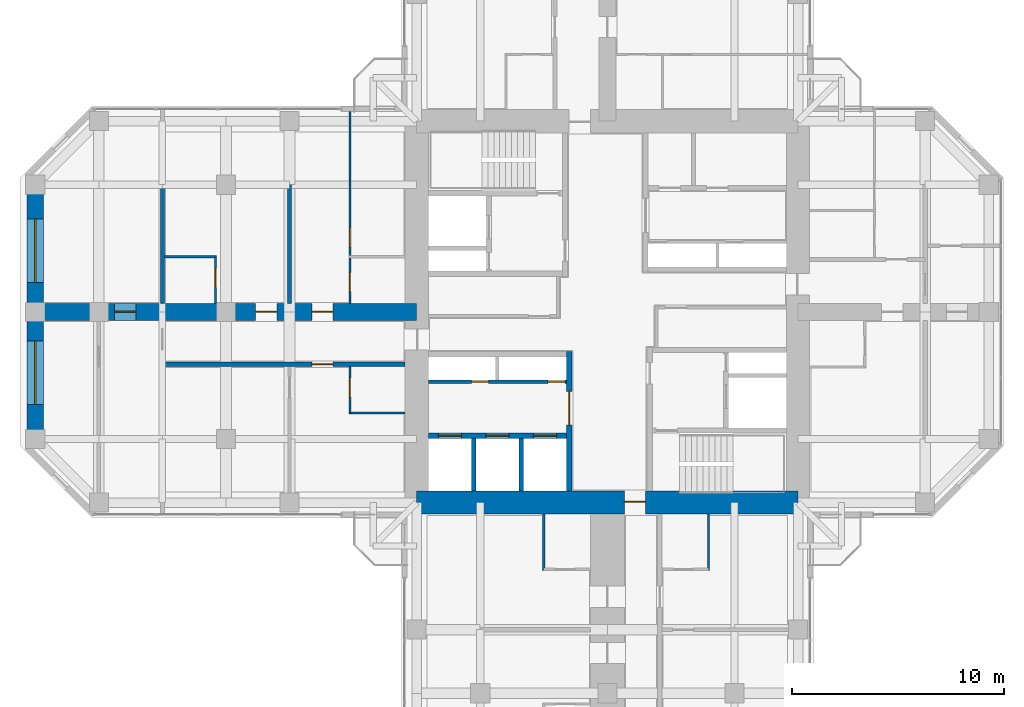
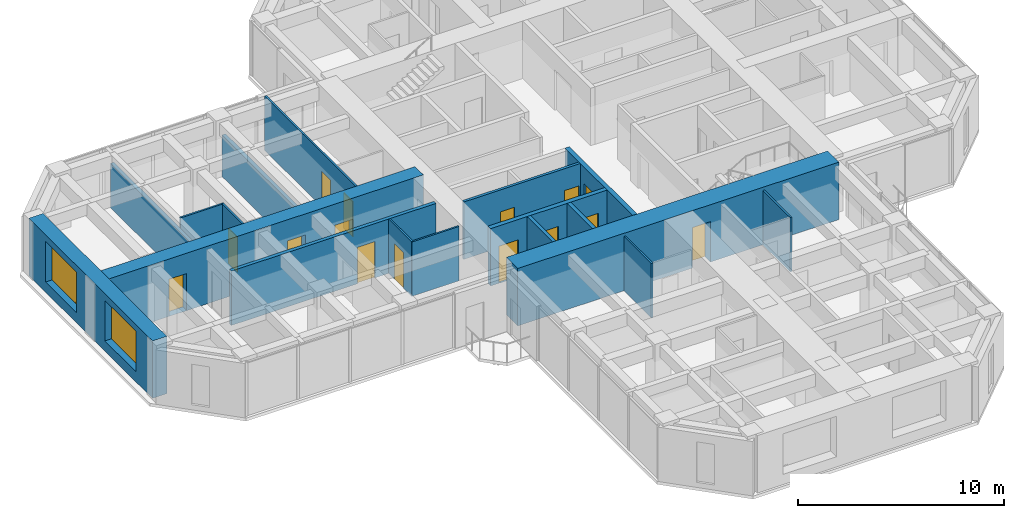
# One storey, part 9 of 14: 18 walls, 15 doors, 2 windows, 17 openings.
"""IFC4 building model written with IfcOpenShell, lengths in metres."""

from ifc_helpers import new_model, si_unit, direction, frame, frame_2d, origin, place, context, subcontext, project, spatial, rectangle, hollow_rectangle, extrude, material, layer, layer_set, constituent, constituent_set, type_object, element, fill, save


model = new_model("IFC4")

# Units and contexts
model_context = context("Model", 3, precision=1e-05, world=origin(), true_north=direction((0.0, 1.0)))
body_context = subcontext(model_context, "Body", "Model", "MODEL_VIEW")
ifc_project = project(units=[si_unit("LENGTHUNIT", "METRE"), si_unit("AREAUNIT", "SQUARE_METRE"), si_unit("VOLUMEUNIT", "CUBIC_METRE"), si_unit("PLANEANGLEUNIT", "RADIAN"), si_unit("MASSUNIT", "GRAM", prefix="KILO")], contexts=[model_context])

# Site, building, storey
site_placement = place(None, origin())
site = spatial("IfcSite", under=ifc_project, at=site_placement, CompositionType="ELEMENT")
building_placement = place(site_placement, origin())
building = spatial("IfcBuilding", under=site, at=building_placement, Name="Torre Cruceta", CompositionType="ELEMENT")
storey_placement = place(building_placement, frame((0.0, 0.0, 200.10009765625)))
storey = spatial("IfcBuildingStorey", under=building, at=storey_placement, Name="L50", CompositionType="ELEMENT", Elevation=200.10009765625)

# Walls
ifc_material_1 = material(Name="Water-resistant plasterboard on steel studs", Category="steel")
ifc_layer_1 = layer(ifc_material_1, 0.10009765625)
ifc_layer_set_1 = layer_set([ifc_layer_1], Name="Water-resistant plasterboard on steel studs")
wall_type_1 = type_object("IfcWallType", Name="BATHROOM WALL 100", PredefinedType="PARTITIONING", material=ifc_layer_set_1)
for number, where, z_axis, x_axis, name in (
    (1, (4.77490234375, -9.550048828125, 0.0), (0.0, 0.0, 1.0), (0.0, -1.0, 0.0), "PT4 L50-S-U1LBB"),
    (2, (-3.0, -9.550048828125, 0.0), (0.0, 0.0, 1.0), (0.0, -1.0, 0.0), "PT4 L50-S-U1RBB"),
    (3, (-9.550048828125, -4.77490234375, 0.0), (0.0, 0.0, 1.0), (-1.0, 0.0, 0.0), "PT4 L50-W-U1LBB"),
):
    element("IfcWall", number, at=place(storey_placement, frame(where, z_axis=z_axis, x_axis=x_axis)), inside=storey, type_object=wall_type_1, Name=name, PredefinedType="PARTITIONING", context=body_context, shape_type="SweptSolid", body=[
        extrude(rectangle(XDim=2.64990234375, YDim=0.10009765625, at=frame_2d((1.324951171875, 0.0))), origin(), (0.0, 0.0, 1.0), 3.219970703125),
    ])

# Wall, opening, door
wall_1_placement = place(storey_placement, frame((-12.14990234375, -2.574951171875, 0.0), z_axis=(0.0, 0.0, 1.0), x_axis=(0.0, -1.0, 0.0)))
wall_1 = element("IfcWall", 4, at=wall_1_placement, inside=storey, type_object=wall_type_1, Name="PT4 L50-W-U1LBS", PredefinedType="PARTITIONING", context=body_context, shape_type="SweptSolid", body=[
    extrude(rectangle(XDim=2.199951171875, YDim=0.10009765625, at=frame_2d((1.10009765625, 0.0))), origin(), (0.0, 0.0, 1.0), 3.219970703125),
])
opening_1_placement = place(wall_1_placement, frame((0.550048828125, 0.0, 0.0)))
opening_1 = element("IfcOpeningElement", 5, at=opening_1_placement, cuts=wall_1, Name="Opening D7", PredefinedType="OPENING", context=body_context, shape_type="SweptSolid", body=[
    extrude(rectangle(XDim=0.89990234375, YDim=2.10009765625, at=frame_2d((0.449951171875, 1.050048828125))), frame((0.0, 0.06005859375, 0.0), z_axis=(0.0, -1.0, 0.0), x_axis=(1.0, 0.0, 0.0)), (0.0, 0.0, 1.0), 0.1201171875),
])
ifc_material_2 = material(Name="Timber door", Category="wood")
door_type_1 = type_object("IfcDoorType", Name="BATHROOM DOOR 900X2100", OperationType="SINGLE_SWING_LEFT", PredefinedType="DOOR", material=ifc_material_2)
door_1_placement = place(opening_1_placement, origin())
door_1 = element("IfcDoor", 6, at=door_1_placement, inside=storey, type_object=door_type_1, Name="D7 L50-W-U1LBS-D1", OperationType="SINGLE_SWING_LEFT", OverallHeight=2.10009765625, OverallWidth=0.89990234375, PredefinedType="DOOR", context=body_context, shape_type="SweptSolid", body=[
    extrude(rectangle(XDim=0.89990234375, YDim=2.10009765625, at=frame_2d((0.449951171875, 1.050048828125))), frame((0.0, 0.02490234375, 0.0), z_axis=(0.0, -1.0, 0.0), x_axis=(1.0, 0.0, 0.0)), (0.0, 0.0, 1.0), 0.050048828125),
])
fill(opening_1, door_1)

# Wall, openings, doors
wall_2_placement = place(storey_placement, frame((-12.14990234375, 9.445068359375, 0.0), z_axis=(0.0, 0.0, 1.0), x_axis=(0.0, -1.0, 0.0)))
wall_2 = element("IfcWall", 7, at=wall_2_placement, inside=storey, type_object=wall_type_1, Name="PT4 L50-W-U1RBS", PredefinedType="PARTITIONING", context=body_context, shape_type="SweptSolid", body=[
    extrude(rectangle(XDim=9.045166015625, YDim=0.10009765625, at=frame_2d((4.5224609375, 0.0))), origin(), (0.0, 0.0, 1.0), 3.219970703125),
])
opening_2_placement = place(wall_2_placement, frame((5.4951171875, 0.0, 0.0)))
opening_2 = element("IfcOpeningElement", 8, at=opening_2_placement, cuts=wall_2, Name="Opening D7", PredefinedType="OPENING", context=body_context, shape_type="SweptSolid", body=[
    extrude(rectangle(XDim=0.89990234375, YDim=2.10009765625, at=frame_2d((0.449951171875, 1.050048828125))), frame((0.0, 0.06005859375, 0.0), z_axis=(0.0, -1.0, 0.0), x_axis=(1.0, 0.0, 0.0)), (0.0, 0.0, 1.0), 0.1201171875),
])
opening_3_placement = place(wall_2_placement, frame((7.594970703125, 0.0, 0.0)))
opening_3 = element("IfcOpeningElement", 9, at=opening_3_placement, cuts=wall_2, Name="Opening D7", PredefinedType="OPENING", context=body_context, shape_type="SweptSolid", body=[
    extrude(rectangle(XDim=0.89990234375, YDim=2.10009765625, at=frame_2d((0.449951171875, 1.050048828125))), frame((0.0, 0.06005859375, 0.0), z_axis=(0.0, -1.0, 0.0), x_axis=(1.0, 0.0, 0.0)), (0.0, 0.0, 1.0), 0.1201171875),
])
door_2_placement = place(opening_2_placement, origin())
door_2 = element("IfcDoor", 10, at=door_2_placement, inside=storey, type_object=door_type_1, Name="D7 L50-W-U1RBS-D1", OperationType="SINGLE_SWING_RIGHT", OverallHeight=2.10009765625, OverallWidth=0.89990234375, PredefinedType="DOOR", context=body_context, shape_type="SweptSolid", body=[
    extrude(rectangle(XDim=0.89990234375, YDim=2.10009765625, at=frame_2d((0.449951171875, 1.050048828125))), frame((0.0, 0.02490234375, 0.0), z_axis=(0.0, -1.0, 0.0), x_axis=(1.0, 0.0, 0.0)), (0.0, 0.0, 1.0), 0.050048828125),
])
fill(opening_2, door_2)
door_3_placement = place(opening_3_placement, origin())
door_3 = element("IfcDoor", 11, at=door_3_placement, inside=storey, type_object=door_type_1, Name="D7 L50-W-U1RBS-D2", OperationType="SINGLE_SWING_RIGHT", OverallHeight=2.10009765625, OverallWidth=0.89990234375, PredefinedType="DOOR", context=body_context, shape_type="SweptSolid", body=[
    extrude(rectangle(XDim=0.89990234375, YDim=2.10009765625, at=frame_2d((0.449951171875, 1.050048828125))), frame((0.0, 0.02490234375, 0.0), z_axis=(0.0, -1.0, 0.0), x_axis=(1.0, 0.0, 0.0)), (0.0, 0.0, 1.0), 0.050048828125),
])
fill(opening_3, door_3)

# Wall
wall_3_placement = place(storey_placement, frame((-18.449951171875, 2.60009765625, 0.0), z_axis=(0.0, 0.0, 1.0), x_axis=(-1.0, 0.0, 0.0)))
element("IfcWall", 12, at=wall_3_placement, inside=storey, type_object=wall_type_1, Name="PT4 L50-W-U2RBB", PredefinedType="PARTITIONING", context=body_context, shape_type="SweptSolid", body=[
    extrude(rectangle(XDim=2.449951171875, YDim=0.10009765625, at=frame_2d((1.22509765625, 0.0))), origin(), (0.0, 0.0, 1.0), 3.219970703125),
])

# Wall, opening, door
wall_4_placement = place(storey_placement, frame((-18.5, 2.60009765625, 0.0), z_axis=(0.0, 0.0, 1.0), x_axis=(0.0, -1.0, 0.0)))
wall_4 = element("IfcWall", 13, at=wall_4_placement, inside=storey, type_object=wall_type_1, Name="PT4 L50-W-U2RBS", PredefinedType="PARTITIONING", context=body_context, shape_type="SweptSolid", body=[
    extrude(rectangle(XDim=2.2001953125, YDim=0.10009765625, at=frame_2d((1.10009765625, 0.0))), origin(), (0.0, 0.0, 1.0), 3.219970703125),
])
opening_4_placement = place(wall_4_placement, frame((0.550048828125, 0.0, 0.0)))
opening_4 = element("IfcOpeningElement", 14, at=opening_4_placement, cuts=wall_4, Name="Opening D7", PredefinedType="OPENING", context=body_context, shape_type="SweptSolid", body=[
    extrude(rectangle(XDim=0.89990234375, YDim=2.10009765625, at=frame_2d((0.449951171875, 1.050048828125))), frame((0.0, 0.06005859375, 0.0), z_axis=(0.0, -1.0, 0.0), x_axis=(1.0, 0.0, 0.0)), (0.0, 0.0, 1.0), 0.1201171875),
])
door_4_placement = place(opening_4_placement, frame((0.89990234375, 0.0, 0.0), z_axis=(0.0, 0.0, 1.0), x_axis=(-1.0, 0.0, 0.0)))
door_4 = element("IfcDoor", 15, at=door_4_placement, inside=storey, type_object=door_type_1, Name="D7 L50-W-U2RBS-D1", OperationType="SINGLE_SWING_RIGHT", OverallHeight=2.10009765625, OverallWidth=0.89990234375, PredefinedType="DOOR", context=body_context, shape_type="SweptSolid", body=[
    extrude(rectangle(XDim=0.89990234375, YDim=2.10009765625, at=frame_2d((0.449951171875, 1.050048828125))), frame((0.0, 0.025146484375, 0.0), z_axis=(0.0, -1.0, 0.0), x_axis=(1.0, 0.0, 0.0)), (0.0, 0.0, 1.0), 0.050048828125),
])
fill(opening_4, door_4)

ifc_material_3 = material(Name="Concrete G60 (fck 60 MPa)", Category="concrete")
ifc_layer_2 = layer(ifc_material_3, 0.25)
ifc_layer_set_2 = layer_set([ifc_layer_2], Name="Concrete G60 (fck 60 MPa)")
wall_type_2 = type_object("IfcWallType", Name="CORE INNER WALL 250 G60", PredefinedType="SHEAR", material=ifc_layer_set_2)
wall_5_placement = place(storey_placement, frame((-1.800048828125, -1.875, 0.0), z_axis=(0.0, 0.0, 1.0), x_axis=(0.0, -1.0, 0.0)))
wall_5 = element("IfcWall", 16, at=wall_5_placement, inside=storey, type_object=wall_type_2, Name="CW4 L50 SW-CU", PredefinedType="SHEAR", context=body_context, shape_type="SweptSolid", body=[
    extrude(rectangle(XDim=6.574951171875, YDim=0.25, at=frame_2d((3.28759765625, 0.0))), origin(), (0.0, 0.0, 1.0), 3.39990234375),
])
opening_5_placement = place(wall_5_placement, frame((1.875, 0.0, 0.0)))
opening_5 = element("IfcOpeningElement", 17, at=opening_5_placement, cuts=wall_5, Name="Opening D8", PredefinedType="OPENING", context=body_context, shape_type="SweptSolid", body=[
    extrude(rectangle(XDim=1.60009765625, YDim=2.39990234375, at=frame_2d((0.800048828125, 1.199951171875))), frame((0.0, 0.135009765625, 0.0), z_axis=(0.0, -1.0, 0.0), x_axis=(1.0, 0.0, 0.0)), (0.0, 0.0, 1.0), 0.27001953125),
])
ifc_material_4 = material(Name="Steel DX51D", Category="steel")
ifc_constituent_1 = constituent(ifc_material_4, Name="Leaf and frame")
ifc_material_5 = material(Name="Polyester powder coating", Category="paint")
ifc_constituent_2 = constituent(ifc_material_5, Name="Finish")
ifc_material_6 = material(Name="Fire-resisting glass", Category="glass")
ifc_constituent_3 = constituent(ifc_material_6, Name="Vision panel")
ifc_constituent_set_1 = constituent_set(constituents=[ifc_constituent_1, ifc_constituent_2, ifc_constituent_3], Name="Steel fire door with vision panels")
door_type_2 = type_object("IfcDoorType", Name="LIFT LOBBY DOUBLE DOOR 1600X2400", OperationType="DOUBLE_DOOR_DOUBLE_SWING", PredefinedType="DOOR", material=ifc_constituent_set_1)
door_5_placement = place(opening_5_placement, origin())
door_5 = element("IfcDoor", 18, at=door_5_placement, inside=storey, type_object=door_type_2, Name="D8 L50 SW-LOBBY", OperationType="DOUBLE_DOOR_DOUBLE_SWING", OverallHeight=2.39990234375, OverallWidth=1.60009765625, PredefinedType="DOOR", context=body_context, shape_type="SweptSolid", body=[
    extrude(rectangle(XDim=1.60009765625, YDim=2.39990234375, at=frame_2d((0.800048828125, 1.199951171875))), frame((0.0, 0.02490234375, 0.0), z_axis=(0.0, -1.0, 0.0), x_axis=(1.0, 0.0, 0.0)), (0.0, 0.0, 1.0), 0.050048828125),
])
fill(opening_5, door_5)

# Wall, openings, doors
wall_6_placement = place(storey_placement, frame((-1.925048828125, -5.85009765625, 0.0), z_axis=(0.0, 0.0, 1.0), x_axis=(-1.0, 0.0, 0.0)))
wall_6 = element("IfcWall", 19, at=wall_6_placement, inside=storey, type_object=wall_type_2, Name="CW4 L50 SW-LV", PredefinedType="SHEAR", context=body_context, shape_type="SweptSolid", body=[
    extrude(rectangle(XDim=6.52490234375, YDim=0.25, at=frame_2d((3.262451171875, 0.0))), origin(), (0.0, 0.0, 1.0), 3.39990234375),
])
opening_6_placement = place(wall_6_placement, frame((0.470947265625, 0.0, 0.0)))
opening_6 = element("IfcOpeningElement", 20, at=opening_6_placement, cuts=wall_6, Name="Opening LD1", PredefinedType="OPENING", context=body_context, shape_type="SweptSolid", body=[
    extrude(rectangle(XDim=1.10009765625, YDim=2.199951171875, at=frame_2d((0.550048828125, 1.10009765625))), frame((0.0, 0.135009765625, 0.0), z_axis=(0.0, -1.0, 0.0), x_axis=(1.0, 0.0, 0.0)), (0.0, 0.0, 1.0), 0.27001953125),
])
opening_7_placement = place(wall_6_placement, frame((2.71240234375, 0.0, 0.0)))
opening_7 = element("IfcOpeningElement", 21, at=opening_7_placement, cuts=wall_6, Name="Opening LD1", PredefinedType="OPENING", context=body_context, shape_type="SweptSolid", body=[
    extrude(rectangle(XDim=1.10009765625, YDim=2.199951171875, at=frame_2d((0.550048828125, 1.10009765625))), frame((0.0, 0.135009765625, 0.0), z_axis=(0.0, -1.0, 0.0), x_axis=(1.0, 0.0, 0.0)), (0.0, 0.0, 1.0), 0.27001953125),
])
opening_8_placement = place(wall_6_placement, frame((4.9541015625, 0.0, 0.0)))
opening_8 = element("IfcOpeningElement", 22, at=opening_8_placement, cuts=wall_6, Name="Opening LD1", PredefinedType="OPENING", context=body_context, shape_type="SweptSolid", body=[
    extrude(rectangle(XDim=1.10009765625, YDim=2.199951171875, at=frame_2d((0.550048828125, 1.10009765625))), frame((0.0, 0.135009765625, 0.0), z_axis=(0.0, -1.0, 0.0), x_axis=(1.0, 0.0, 0.0)), (0.0, 0.0, 1.0), 0.27001953125),
])
ifc_material_7 = material(Name="Stainless steel 1.4401", Category="steel")
door_type_3 = type_object("IfcDoorType", Name="LIFT LANDING DOOR 1100X2200", OperationType="DOUBLE_DOOR_SLIDING", PredefinedType="DOOR", material=ifc_material_7)
door_6_placement = place(opening_6_placement, origin())
door_6 = element("IfcDoor", 23, at=door_6_placement, inside=storey, type_object=door_type_3, Name="Lift landing door R1", OperationType="DOUBLE_DOOR_SLIDING", OverallHeight=2.199951171875, OverallWidth=1.10009765625, PredefinedType="DOOR", context=body_context, shape_type="SweptSolid", body=[
    extrude(rectangle(XDim=1.10009765625, YDim=2.199951171875, at=frame_2d((0.550048828125, 1.10009765625))), frame((0.0, 0.02490234375, 0.0), z_axis=(0.0, -1.0, 0.0), x_axis=(1.0, 0.0, 0.0)), (0.0, 0.0, 1.0), 0.050048828125),
])
fill(opening_6, door_6)
door_7_placement = place(opening_7_placement, origin())
door_7 = element("IfcDoor", 24, at=door_7_placement, inside=storey, type_object=door_type_3, Name="Lift landing door R2", OperationType="DOUBLE_DOOR_SLIDING", OverallHeight=2.199951171875, OverallWidth=1.10009765625, PredefinedType="DOOR", context=body_context, shape_type="SweptSolid", body=[
    extrude(rectangle(XDim=1.10009765625, YDim=2.199951171875, at=frame_2d((0.550048828125, 1.10009765625))), frame((0.0, 0.02490234375, 0.0), z_axis=(0.0, -1.0, 0.0), x_axis=(1.0, 0.0, 0.0)), (0.0, 0.0, 1.0), 0.050048828125),
])
fill(opening_7, door_7)
door_8_placement = place(opening_8_placement, origin())
door_8 = element("IfcDoor", 25, at=door_8_placement, inside=storey, type_object=door_type_3, Name="Lift landing door R3", OperationType="DOUBLE_DOOR_SLIDING", OverallHeight=2.199951171875, OverallWidth=1.10009765625, PredefinedType="DOOR", context=body_context, shape_type="SweptSolid", body=[
    extrude(rectangle(XDim=1.10009765625, YDim=2.199951171875, at=frame_2d((0.550048828125, 1.10009765625))), frame((0.0, 0.02490234375, 0.0), z_axis=(0.0, -1.0, 0.0), x_axis=(1.0, 0.0, 0.0)), (0.0, 0.0, 1.0), 0.050048828125),
])
fill(opening_8, door_8)

# Wall, opening, door
ifc_material_8 = material(Name="Concrete G60 (fck 60 MPa)", Category="concrete")
ifc_layer_3 = layer(ifc_material_8, 1.10009765625)
ifc_layer_set_3 = layer_set([ifc_layer_3], Name="Concrete G60 (fck 60 MPa)")
wall_type_3 = type_object("IfcWallType", Name="CORE WALL 1100 G60", PredefinedType="SHEAR", material=ifc_layer_set_3)
wall_7_placement = place(storey_placement, frame((-9.0, -9.0, 0.0), z_axis=(0.0, 0.0, 1.0), x_axis=(1.0, 0.0, 0.0)))
wall_7 = element("IfcWall", 26, at=wall_7_placement, inside=storey, type_object=wall_type_3, Name="CW2 L50 CW-S", PredefinedType="SHEAR", context=body_context, shape_type="SweptSolid", body=[
    extrude(rectangle(XDim=18.0, YDim=1.10009765625, at=frame_2d((9.0, 0.0))), origin(), (0.0, 0.0, 1.0), 3.39990234375),
])
opening_9_placement = place(wall_7_placement, frame((9.800048828125, 0.0, 0.0)))
opening_9 = element("IfcOpeningElement", 27, at=opening_9_placement, cuts=wall_7, Name="Opening D4", PredefinedType="OPENING", context=body_context, shape_type="SweptSolid", body=[
    extrude(rectangle(XDim=1.0, YDim=2.39990234375, at=frame_2d((0.5, 1.199951171875))), frame((0.0, 0.56005859375, 0.0), z_axis=(0.0, -1.0, 0.0), x_axis=(1.0, 0.0, 0.0)), (0.0, 0.0, 1.0), 1.1201171875),
])
ifc_material_9 = material(Name="Steel DX51D", Category="steel")
ifc_constituent_4 = constituent(ifc_material_9, Name="Leaf and frame")
ifc_material_10 = material(Name="Polyester powder coating", Category="paint")
ifc_constituent_5 = constituent(ifc_material_10, Name="Finish")
ifc_constituent_set_2 = constituent_set(constituents=[ifc_constituent_4, ifc_constituent_5], Name="Steel fire door")
door_type_4 = type_object("IfcDoorType", Name="CORE ARM DOOR 1000X2400", OperationType="SINGLE_SWING_RIGHT", PredefinedType="DOOR", material=ifc_constituent_set_2)
door_9_placement = place(opening_9_placement, origin())
door_9 = element("IfcDoor", 28, at=door_9_placement, inside=storey, type_object=door_type_4, Name="D4 L50 CW-S", OperationType="SINGLE_SWING_RIGHT", OverallHeight=2.39990234375, OverallWidth=1.0, PredefinedType="DOOR", context=body_context, shape_type="SweptSolid", body=[
    extrude(rectangle(XDim=1.0, YDim=2.39990234375, at=frame_2d((0.5, 1.199951171875))), frame((0.0, 0.05517578125, 0.0), z_axis=(0.0, -1.0, 0.0), x_axis=(1.0, 0.0, 0.0)), (0.0, 0.0, 1.0), 0.050048828125),
])
fill(opening_9, door_9)

ifc_material_11 = material(Name="Concrete G25 (fck 25 MPa)", Category="concrete")
ifc_layer_4 = layer(ifc_material_11, 0.199951171875)
ifc_layer_set_4 = layer_set([ifc_layer_4], Name="Concrete G25 (fck 25 MPa)")
wall_type_4 = type_object("IfcWallType", Name="CORRIDOR WALL 200", PredefinedType="SOLIDWALL", material=ifc_layer_set_4)
wall_8_placement = place(storey_placement, frame((-9.550048828125, -2.47509765625, 0.0), z_axis=(0.0, 0.0, 1.0), x_axis=(-1.0, 0.0, 0.0)))
wall_8 = element("IfcWall", 29, at=wall_8_placement, inside=storey, type_object=wall_type_4, Name="PT3 L50-W-CL", PredefinedType="SOLIDWALL", context=body_context, shape_type="SweptSolid", body=[
    extrude(rectangle(XDim=11.449951171875, YDim=0.199951171875, at=frame_2d((5.72509765625, 0.0))), origin(), (0.0, 0.0, 1.0), 3.219970703125),
])
opening_10_placement = place(wall_8_placement, frame((3.39990234375, 0.0, 0.0)))
opening_10 = element("IfcOpeningElement", 30, at=opening_10_placement, cuts=wall_8, Name="Opening D6", PredefinedType="OPENING", context=body_context, shape_type="SweptSolid", body=[
    extrude(rectangle(XDim=1.0, YDim=2.14990234375, at=frame_2d((0.5, 1.074951171875))), frame((0.0, 0.10986328125, 0.0), z_axis=(0.0, -1.0, 0.0), x_axis=(1.0, 0.0, 0.0)), (0.0, 0.0, 1.0), 0.219970703125),
])
ifc_material_12 = material(Name="Timber fire door", Category="wood")
door_type_5 = type_object("IfcDoorType", Name="UNIT ENTRANCE DOOR 1000X2150", OperationType="SINGLE_SWING_LEFT", PredefinedType="DOOR", material=ifc_material_12)
door_10_placement = place(opening_10_placement, origin())
door_10 = element("IfcDoor", 31, at=door_10_placement, inside=storey, type_object=door_type_5, Name="D6 L50-W-CL-D1", OperationType="SINGLE_SWING_LEFT", OverallHeight=2.14990234375, OverallWidth=1.0, PredefinedType="DOOR", context=body_context, shape_type="SweptSolid", body=[
    extrude(rectangle(XDim=1.0, YDim=2.14990234375, at=frame_2d((0.5, 1.074951171875))), frame((0.0, 0.02490234375, 0.0), z_axis=(0.0, -1.0, 0.0), x_axis=(1.0, 0.0, 0.0)), (0.0, 0.0, 1.0), 0.050048828125),
])
fill(opening_10, door_10)

# Walls
ifc_material_13 = material(Name="Concrete G35 (fck 35 MPa)", Category="concrete")
ifc_layer_5 = layer(ifc_material_13, 0.199951171875)
ifc_layer_set_5 = layer_set([ifc_layer_5], Name="Concrete G35 (fck 35 MPa)")
wall_type_5 = type_object("IfcWallType", Name="LIFT SHAFT WALL 200", PredefinedType="PARTITIONING", material=ifc_layer_set_5)
for number, where, z_axis, x_axis, name in (
    (32, (-4.066650390625, -5.97509765625, 0.0), (0.0, 0.0, 1.0), (0.0, -1.0, 0.0), "SW1 L50 SW-LS1"),
    (33, (-6.308349609375, -5.97509765625, 0.0), (0.0, 0.0, 1.0), (0.0, -1.0, 0.0), "SW1 L50 SW-LS2"),
):
    element("IfcWall", number, at=place(storey_placement, frame(where, z_axis=z_axis, x_axis=x_axis)), inside=storey, type_object=wall_type_5, Name=name, PredefinedType="PARTITIONING", context=body_context, shape_type="SweptSolid", body=[
        extrude(rectangle(XDim=2.474853515625, YDim=0.199951171875, at=frame_2d((1.2373046875, 0.0))), origin(), (0.0, 0.0, 1.0), 3.39990234375),
    ])

# Wall, openings, windows
ifc_material_14 = material(Name="Concrete G60 (fck 60 MPa)", Category="concrete")
ifc_layer_6 = layer(ifc_material_14, 0.800048828125)
ifc_layer_set_6 = layer_set([ifc_layer_6], Name="Concrete G60 (fck 60 MPa)")
wall_type_6 = type_object("IfcWallType", Name="NOSE WALL 800 G60", PredefinedType="SHEAR", material=ifc_layer_set_6)
wall_9_placement = place(storey_placement, frame((-27.0, 6.0, 0.0), z_axis=(0.0, 0.0, 1.0), x_axis=(0.0, -1.0, 0.0)))
wall_9 = element("IfcWall", 34, at=wall_9_placement, inside=storey, type_object=wall_type_6, Name="NW2 nose wall L50 W", PredefinedType="SHEAR", context=body_context, shape_type="SweptSolid", body=[
    extrude(rectangle(XDim=12.0, YDim=0.800048828125, at=frame_2d((6.0, 0.0))), origin(), (0.0, 0.0, 1.0), 3.39990234375),
])
opening_11_placement = place(wall_9_placement, frame((1.625, 0.0, 0.60009765625)))
opening_11 = element("IfcOpeningElement", 35, at=opening_11_placement, cuts=wall_9, Name="Opening WN6", PredefinedType="OPENING", context=body_context, shape_type="SweptSolid", body=[
    extrude(rectangle(XDim=3.0, YDim=2.39990234375, at=frame_2d((1.5, 1.199951171875))), frame((0.0, 0.409912109375, 0.0), z_axis=(0.0, -1.0, 0.0), x_axis=(1.0, 0.0, 0.0)), (0.0, 0.0, 1.0), 0.820068359375),
])
opening_12_placement = place(wall_9_placement, frame((7.375, 0.0, 0.60009765625)))
opening_12 = element("IfcOpeningElement", 36, at=opening_12_placement, cuts=wall_9, Name="Opening WN6", PredefinedType="OPENING", context=body_context, shape_type="SweptSolid", body=[
    extrude(rectangle(XDim=3.0, YDim=2.39990234375, at=frame_2d((1.5, 1.199951171875))), frame((0.0, 0.409912109375, 0.0), z_axis=(0.0, -1.0, 0.0), x_axis=(1.0, 0.0, 0.0)), (0.0, 0.0, 1.0), 0.820068359375),
])
ifc_material_15 = material(Name="Aluminium window frame", Category="aluminium")
ifc_constituent_6 = constituent(ifc_material_15, Name="Frame")
ifc_material_16 = material(Name="Laminated insulating glass unit, low-iron clear", Category="glass")
ifc_constituent_7 = constituent(ifc_material_16, Name="Glazing")
ifc_constituent_set_3 = constituent_set(constituents=[ifc_constituent_6, ifc_constituent_7], Name="Aluminium window")
window_type = type_object("IfcWindowType", Name="NOSE WALL WINDOW 3000X2400", PartitioningType="SINGLE_PANEL", PredefinedType="WINDOW", material=ifc_constituent_set_3)
window_1_placement = place(opening_11_placement, origin())
window_1 = element("IfcWindow", 37, at=window_1_placement, inside=storey, type_object=window_type, Name="WN6 L50 W 1", OverallHeight=2.39990234375, OverallWidth=3.0, PartitioningType="SINGLE_PANEL", PredefinedType="WINDOW", context=body_context, shape_type="SweptSolid", body=[
    extrude(hollow_rectangle(XDim=3.0, YDim=2.39990234375, WallThickness=0.06005859375, at=frame_2d((1.5, 1.199951171875))), frame((0.0, 0.030029296875, 0.0), z_axis=(0.0, -1.0, 0.0), x_axis=(1.0, 0.0, 0.0)), (0.0, 0.0, 1.0), 0.06005859375),
    extrude(rectangle(XDim=2.87890625, YDim=2.27880859375, at=frame_2d((1.5, 1.199951171875))), frame((0.0, 0.030029296875, 0.0), z_axis=(0.0, -1.0, 0.0), x_axis=(1.0, 0.0, 0.0)), (0.0, 0.0, 1.0), 0.06005859375),
])
fill(opening_11, window_1)
window_2_placement = place(opening_12_placement, origin())
window_2 = element("IfcWindow", 38, at=window_2_placement, inside=storey, type_object=window_type, Name="WN6 L50 W 2", OverallHeight=2.39990234375, OverallWidth=3.0, PartitioningType="SINGLE_PANEL", PredefinedType="WINDOW", context=body_context, shape_type="SweptSolid", body=[
    extrude(hollow_rectangle(XDim=3.0, YDim=2.39990234375, WallThickness=0.06005859375, at=frame_2d((1.5, 1.199951171875))), frame((0.0, 0.030029296875, 0.0), z_axis=(0.0, -1.0, 0.0), x_axis=(1.0, 0.0, 0.0)), (0.0, 0.0, 1.0), 0.06005859375),
    extrude(rectangle(XDim=2.87890625, YDim=2.27880859375, at=frame_2d((1.5, 1.199951171875))), frame((0.0, 0.030029296875, 0.0), z_axis=(0.0, -1.0, 0.0), x_axis=(1.0, 0.0, 0.0)), (0.0, 0.0, 1.0), 0.06005859375),
])
fill(opening_12, window_2)

# Wall, openings, doors
ifc_material_17 = material(Name="Concrete block masonry", Category="masonry")
ifc_layer_7 = layer(ifc_material_17, 0.14990234375)
ifc_layer_set_7 = layer_set([ifc_layer_7], Name="Concrete block masonry")
wall_type_7 = type_object("IfcWallType", Name="RISER WALL 150", PredefinedType="PARTITIONING", material=ifc_layer_set_7)
wall_10_placement = place(storey_placement, frame((-1.925048828125, -3.300048828125, 0.0), z_axis=(0.0, 0.0, 1.0), x_axis=(-1.0, 0.0, 0.0)))
wall_10 = element("IfcWall", 39, at=wall_10_placement, inside=storey, type_object=wall_type_7, Name="SW7 L50 SW-RV", PredefinedType="PARTITIONING", context=body_context, shape_type="SweptSolid", body=[
    extrude(rectangle(XDim=6.52490234375, YDim=0.14990234375, at=frame_2d((3.262451171875, 0.0))), origin(), (0.0, 0.0, 1.0), 3.39990234375),
])
opening_13_placement = place(wall_10_placement, frame((0.074951171875, 0.0, 0.0)))
opening_13 = element("IfcOpeningElement", 40, at=opening_13_placement, cuts=wall_10, Name="Opening D5", PredefinedType="OPENING", context=body_context, shape_type="SweptSolid", body=[
    extrude(rectangle(XDim=0.800048828125, YDim=2.10009765625, at=frame_2d((0.39990234375, 1.050048828125))), frame((0.0, 0.0849609375, 0.0), z_axis=(0.0, -1.0, 0.0), x_axis=(1.0, 0.0, 0.0)), (0.0, 0.0, 1.0), 0.169921875),
])
opening_14_placement = place(wall_10_placement, frame((3.675048828125, 0.0, 0.0)))
opening_14 = element("IfcOpeningElement", 41, at=opening_14_placement, cuts=wall_10, Name="Opening D5", PredefinedType="OPENING", context=body_context, shape_type="SweptSolid", body=[
    extrude(rectangle(XDim=0.800048828125, YDim=2.10009765625, at=frame_2d((0.39990234375, 1.050048828125))), frame((0.0, 0.0849609375, 0.0), z_axis=(0.0, -1.0, 0.0), x_axis=(1.0, 0.0, 0.0)), (0.0, 0.0, 1.0), 0.169921875),
])
ifc_material_18 = material(Name="Steel DX51D", Category="steel")
ifc_constituent_8 = constituent(ifc_material_18, Name="Leaf and frame")
ifc_material_19 = material(Name="Polyester powder coating", Category="paint")
ifc_constituent_9 = constituent(ifc_material_19, Name="Finish")
ifc_constituent_set_4 = constituent_set(constituents=[ifc_constituent_8, ifc_constituent_9], Name="Steel fire door")
door_type_6 = type_object("IfcDoorType", Name="RISER ACCESS DOOR 800X2100", OperationType="SINGLE_SWING_LEFT", PredefinedType="DOOR", material=ifc_constituent_set_4)
door_11_placement = place(opening_13_placement, frame((0.800048828125, 0.0, 0.0), z_axis=(0.0, 0.0, 1.0), x_axis=(-1.0, 0.0, 0.0)))
door_11 = element("IfcDoor", 42, at=door_11_placement, inside=storey, type_object=door_type_6, Name="D5 L50 SW-RISER1", OperationType="SINGLE_SWING_RIGHT", OverallHeight=2.10009765625, OverallWidth=0.800048828125, PredefinedType="DOOR", context=body_context, shape_type="SweptSolid", body=[
    extrude(rectangle(XDim=0.800048828125, YDim=2.10009765625, at=frame_2d((0.400146484375, 1.050048828125))), frame((0.0, 0.025146484375, 0.0), z_axis=(0.0, -1.0, 0.0), x_axis=(1.0, 0.0, 0.0)), (0.0, 0.0, 1.0), 0.050048828125),
])
fill(opening_13, door_11)
door_12_placement = place(opening_14_placement, frame((0.800048828125, 0.0, 0.0), z_axis=(0.0, 0.0, 1.0), x_axis=(-1.0, 0.0, 0.0)))
door_12 = element("IfcDoor", 43, at=door_12_placement, inside=storey, type_object=door_type_6, Name="D5 L50 SW-RISER2", OperationType="SINGLE_SWING_RIGHT", OverallHeight=2.10009765625, OverallWidth=0.800048828125, PredefinedType="DOOR", context=body_context, shape_type="SweptSolid", body=[
    extrude(rectangle(XDim=0.800048828125, YDim=2.10009765625, at=frame_2d((0.400146484375, 1.050048828125))), frame((0.0, 0.025146484375, 0.0), z_axis=(0.0, -1.0, 0.0), x_axis=(1.0, 0.0, 0.0)), (0.0, 0.0, 1.0), 0.050048828125),
])
fill(opening_14, door_12)

ifc_material_20 = material(Name="Concrete G60 (fck 60 MPa)", Category="concrete")
ifc_layer_8 = layer(ifc_material_20, 0.800048828125)
ifc_layer_set_8 = layer_set([ifc_layer_8], Name="Concrete G60 (fck 60 MPa)")
wall_type_8 = type_object("IfcWallType", Name="SPINE WALL 800 G60", PredefinedType="SHEAR", material=ifc_layer_set_8)
wall_11_placement = place(storey_placement, frame((-9.0, 0.0, 0.0), z_axis=(0.0, 0.0, 1.0), x_axis=(-1.0, 0.0, 0.0)))
wall_11 = element("IfcWall", 44, at=wall_11_placement, inside=storey, type_object=wall_type_8, Name="SW4 spine wall L50 W", PredefinedType="SHEAR", context=body_context, shape_type="SweptSolid", body=[
    extrude(rectangle(XDim=18.0, YDim=0.800048828125, at=frame_2d((9.0, 0.0))), origin(), (0.0, 0.0, 1.0), 3.39990234375),
])
opening_15_placement = place(wall_11_placement, frame((3.949951171875, 0.0, 0.0)))
opening_15 = element("IfcOpeningElement", 45, at=opening_15_placement, cuts=wall_11, Name="Opening D6", PredefinedType="OPENING", context=body_context, shape_type="SweptSolid", body=[
    extrude(rectangle(XDim=1.0, YDim=2.14990234375, at=frame_2d((0.5, 1.074951171875))), frame((0.0, 0.409912109375, 0.0), z_axis=(0.0, -1.0, 0.0), x_axis=(1.0, 0.0, 0.0)), (0.0, 0.0, 1.0), 0.820068359375),
])
opening_16_placement = place(wall_11_placement, frame((6.60009765625, 0.0, 0.0)))
opening_16 = element("IfcOpeningElement", 46, at=opening_16_placement, cuts=wall_11, Name="Opening D6", PredefinedType="OPENING", context=body_context, shape_type="SweptSolid", body=[
    extrude(rectangle(XDim=1.0, YDim=2.14990234375, at=frame_2d((0.5, 1.074951171875))), frame((0.0, 0.409912109375, 0.0), z_axis=(0.0, -1.0, 0.0), x_axis=(1.0, 0.0, 0.0)), (0.0, 0.0, 1.0), 0.820068359375),
])
opening_17_placement = place(wall_11_placement, frame((13.25, 0.0, 0.0)))
opening_17 = element("IfcOpeningElement", 47, at=opening_17_placement, cuts=wall_11, Name="Opening D14", PredefinedType="OPENING", context=body_context, shape_type="SweptSolid", body=[
    extrude(rectangle(XDim=1.0, YDim=2.199951171875, at=frame_2d((0.5, 1.10009765625))), frame((0.0, 0.409912109375, 0.0), z_axis=(0.0, -1.0, 0.0), x_axis=(1.0, 0.0, 0.0)), (0.0, 0.0, 1.0), 0.820068359375),
])
ifc_material_21 = material(Name="Steel DX51D", Category="steel")
ifc_constituent_10 = constituent(ifc_material_21, Name="Leaf and frame")
ifc_material_22 = material(Name="Polyester powder coating", Category="paint")
ifc_constituent_11 = constituent(ifc_material_22, Name="Finish")
ifc_material_23 = material(Name="Fire-resisting glass", Category="glass")
ifc_constituent_12 = constituent(ifc_material_23, Name="Vision panel")
ifc_constituent_set_5 = constituent_set(constituents=[ifc_constituent_10, ifc_constituent_11, ifc_constituent_12], Name="Steel fire door with vision panel")
door_type_7 = type_object("IfcDoorType", Name="FIRE DOOR VISION PANEL 1000X2200", OperationType="SINGLE_SWING_RIGHT", PredefinedType="DOOR", material=ifc_constituent_set_5)
door_13_placement = place(opening_17_placement, origin())
door_13 = element("IfcDoor", 48, at=door_13_placement, inside=storey, type_object=door_type_7, Name="D14 L50-W-SP3", OperationType="SINGLE_SWING_RIGHT", OverallHeight=2.199951171875, OverallWidth=1.0, PredefinedType="DOOR", context=body_context, shape_type="SweptSolid", body=[
    extrude(rectangle(XDim=1.0, YDim=2.199951171875, at=frame_2d((0.5, 1.10009765625))), frame((0.0, 0.02490234375, 0.0), z_axis=(0.0, -1.0, 0.0), x_axis=(1.0, 0.0, 0.0)), (0.0, 0.0, 1.0), 0.050048828125),
])
fill(opening_17, door_13)
door_14_placement = place(opening_15_placement, frame((1.0, 0.0, 0.0), z_axis=(0.0, 0.0, 1.0), x_axis=(-1.0, 0.0, 0.0)))
door_14 = element("IfcDoor", 49, at=door_14_placement, inside=storey, type_object=door_type_5, Name="D6 L50-W-SP1", OperationType="SINGLE_SWING_RIGHT", OverallHeight=2.14990234375, OverallWidth=1.0, PredefinedType="DOOR", context=body_context, shape_type="SweptSolid", body=[
    extrude(rectangle(XDim=1.0, YDim=2.14990234375, at=frame_2d((0.5, 1.074951171875))), frame((0.0, 0.025146484375, 0.0), z_axis=(0.0, -1.0, 0.0), x_axis=(1.0, 0.0, 0.0)), (0.0, 0.0, 1.0), 0.050048828125),
])
fill(opening_15, door_14)
door_15_placement = place(opening_16_placement, frame((1.0, 0.0, 0.0), z_axis=(0.0, 0.0, 1.0), x_axis=(-1.0, 0.0, 0.0)))
door_15 = element("IfcDoor", 50, at=door_15_placement, inside=storey, type_object=door_type_5, Name="D6 L50-W-SP2", OperationType="SINGLE_SWING_RIGHT", OverallHeight=2.14990234375, OverallWidth=1.0, PredefinedType="DOOR", context=body_context, shape_type="SweptSolid", body=[
    extrude(rectangle(XDim=1.0, YDim=2.14990234375, at=frame_2d((0.5, 1.074951171875))), frame((0.0, 0.025146484375, 0.0), z_axis=(0.0, -1.0, 0.0), x_axis=(1.0, 0.0, 0.0)), (0.0, 0.0, 1.0), 0.050048828125),
])
fill(opening_16, door_15)

# Walls
ifc_material_24 = material(Name="Concrete G25 (fck 25 MPa)", Category="concrete")
ifc_layer_9 = layer(ifc_material_24, 0.199951171875)
ifc_layer_set_9 = layer_set([ifc_layer_9], Name="Concrete G25 (fck 25 MPa)")
wall_type_9 = type_object("IfcWallType", Name="UNIT SEPARATING WALL 200", PredefinedType="SOLIDWALL", material=ifc_layer_set_9)
wall_12_placement = place(storey_placement, frame((-15.0, 8.550048828125, 0.0), z_axis=(0.0, 0.0, 1.0), x_axis=(0.0, -1.0, 0.0)))
element("IfcWall", 51, at=wall_12_placement, inside=storey, type_object=wall_type_9, Name="PT2 L50-W-P1R", PredefinedType="SOLIDWALL", context=body_context, shape_type="SweptSolid", body=[
    extrude(rectangle(XDim=8.150146484375, YDim=0.199951171875, at=frame_2d((4.0751953125, 0.0))), origin(), (0.0, 0.0, 1.0), 2.469970703125),
])
wall_13_placement = place(storey_placement, frame((-21.0, 9.0, 0.0), z_axis=(0.0, 0.0, 1.0), x_axis=(0.0, -1.0, 0.0)))
element("IfcWall", 52, at=wall_13_placement, inside=storey, type_object=wall_type_9, Name="PT2 L50-W-ENDa 2", PredefinedType="SOLIDWALL", context=body_context, shape_type="SweptSolid", body=[
    extrude(rectangle(XDim=8.60009765625, YDim=0.199951171875, at=frame_2d((4.300048828125, 0.0))), origin(), (0.0, 0.0, 1.0), 2.619873046875),
])

save(model, "model.ifc")
